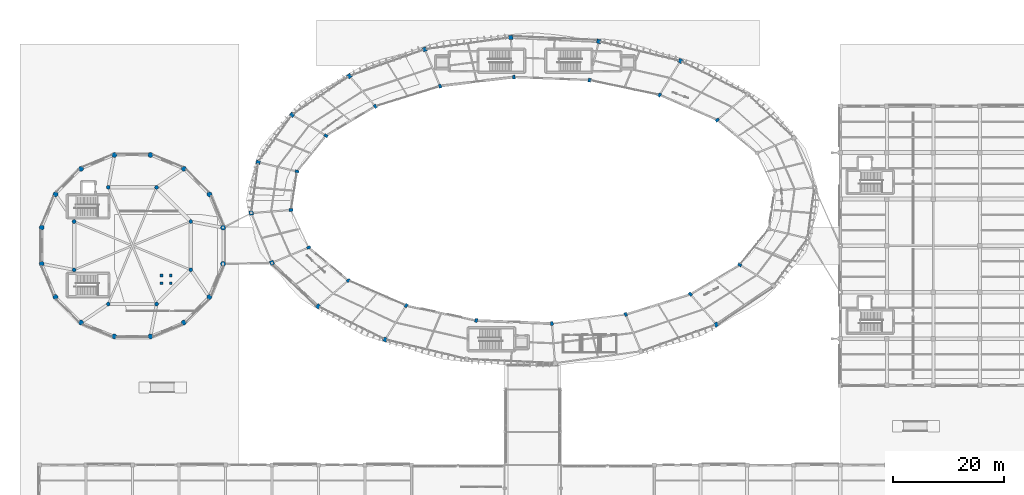
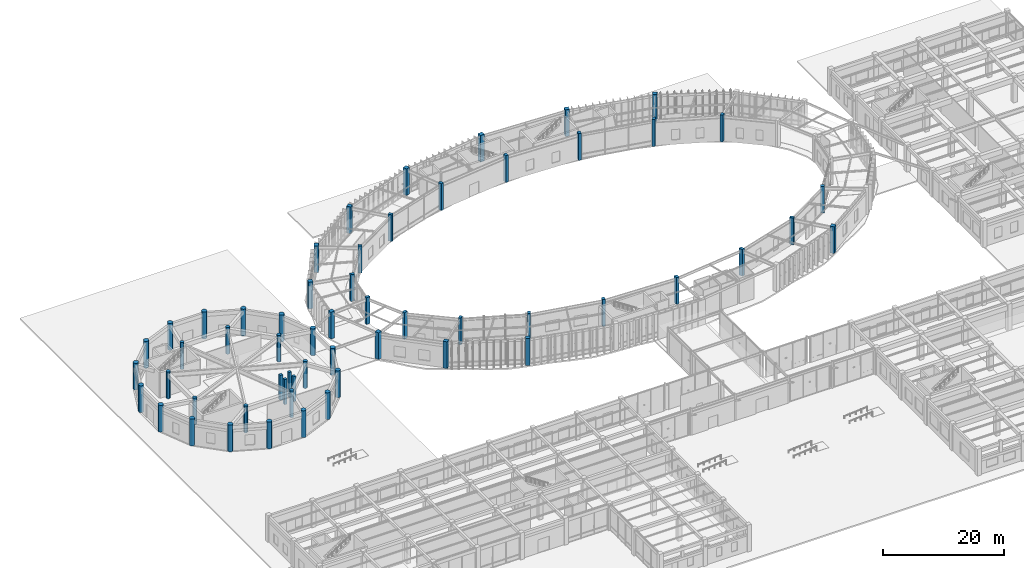
# One storey, part 5 of 157: 57 columns.
"""IFC4 building model written with IfcOpenShell, lengths in metres."""

from ifc_helpers import new_model, si_unit, direction, frame, origin, origin_2d, place, context, subcontext, project, spatial, rectangle, circle, extrude, material, material_profile, profile_set, type_object, element, save


model = new_model("IFC4")

# Units and contexts
model_context = context("Model", 3, precision=1e-05, world=origin(), true_north=direction((0.0, 1.0)))
body_context = subcontext(model_context, "Body", "Model", "MODEL_VIEW")
ifc_project = project(units=[si_unit("LENGTHUNIT", "METRE"), si_unit("AREAUNIT", "SQUARE_METRE"), si_unit("VOLUMEUNIT", "CUBIC_METRE"), si_unit("PLANEANGLEUNIT", "RADIAN"), si_unit("MASSUNIT", "GRAM", prefix="KILO"), si_unit("THERMODYNAMICTEMPERATUREUNIT", "KELVIN"), si_unit("POWERUNIT", "WATT")], contexts=[model_context])

# Site, building, storey
site_placement = place(None, origin())
site = spatial("IfcSite", under=ifc_project, at=site_placement, CompositionType="ELEMENT")
building_placement = place(site_placement, origin())
building = spatial("IfcBuilding", under=site, at=building_placement, Name="Darbajah Civic Hall", CompositionType="ELEMENT")
storey_placement = place(building_placement, origin())
storey = spatial("IfcBuildingStorey", under=building, at=storey_placement, Name="L00", CompositionType="ELEMENT", Elevation=0.0)

# Columns
ifc_material_1 = material(Name="Concrete C45/55", Category="concrete")
ifc_material_profile_1 = material_profile(ifc_material_1, rectangle(XDim=0.5, YDim=0.5, at=origin_2d()), Name="RC COL 500x500")
ifc_profile_set_1 = profile_set([ifc_material_profile_1], Name="Concrete C45/55")
column_type_1 = type_object("IfcColumnType", Name="RC COL 500x500", PredefinedType="COLUMN", material=ifc_profile_set_1)
for number, where, z_axis, x_axis, name in (
    (1, (22.070068359375, 74.800048828125, 0.0), (0.0, 0.0, 1.0), (1.0, 0.0, 0.0), "L00 dais TOP pier 1"),
    (2, (23.719970703125, 74.800048828125, 0.0), (0.0, 0.0, 1.0), (1.0, 0.0, 0.0), "L00 dais TOP pier 2"),
    (3, (22.070068359375, 76.199951171875, 0.0), (0.0, 0.0, 1.0), (1.0, 0.0, 0.0), "L00 dais TOP pier 3"),
    (4, (23.719970703125, 76.199951171875, 0.0), (0.0, 0.0, 1.0), (1.0, 0.0, 0.0), "L00 dais TOP pier 4"),
):
    element("IfcColumn", number, at=place(storey_placement, frame(where, z_axis=z_axis, x_axis=x_axis)), inside=storey, type_object=column_type_1, Name=name, PredefinedType="COLUMN", context=body_context, shape_type="SweptSolid", body=[
        extrude(rectangle(XDim=0.5, YDim=0.5, at=origin_2d()), origin(), (0.0, 0.0, 1.0), 5.080078125),
    ])
ifc_material_profile_2 = material_profile(ifc_material_1, rectangle(XDim=0.699951171875, YDim=0.5, at=origin_2d()), Name="RC COL 700x500")
ifc_profile_set_2 = profile_set([ifc_material_profile_2], Name="Concrete C45/55")
column_type_2 = type_object("IfcColumnType", Name="RC COL 700x500", PredefinedType="COLUMN", material=ifc_profile_set_2)
for number, where, z_axis, x_axis, name in (
    (5, (122.40576171875, 104.28271484375, 0.0), (0.0, 0.0, 1.0), (0.7604059656, 0.64944804833, 0.0), "L00 column C-RC705"),
    (6, (111.9853515625, 108.81396484375, 0.0), (0.0, 0.0, 1.0), (0.522498564716, 0.852640164354, 0.0), "L00 column C-RC705"),
    (7, (99.324951171875, 111.48388671875, 0.0), (0.0, 0.0, 1.0), (0.233445363856, 0.972369920398, 0.0), "L00 column C-RC705"),
    (8, (85.66357421875, 112.03125, 0.0), (0.0, 0.0, 1.0), (-0.078459095728, 0.996917333733, 0.0), "L00 column C-RC705"),
    (9, (72.33837890625, 110.402587890625, 0.0), (0.0, 0.0, 1.0), (-0.382683432365, 0.923879532511, 0.0), "L00 column C-RC705"),
    (10, (60.654296875, 106.757080078125, 0.0), (0.0, 0.0, 1.0), (-0.64944804833, 0.7604059656, 0.0), "L00 column C-RC705"),
    (11, (51.75439453125, 101.45166015625, 0.0), (0.0, 0.0, 1.0), (-0.852640164354, 0.522498564716, 0.0), "L00 column C-RC705"),
    (12, (46.51025390625, 95.005859375, 0.0), (0.0, 0.0, 1.0), (-0.972369920398, 0.233445363856, 0.0), "L00 column C-RC705"),
    (13, (45.43505859375, 88.05029296875, 0.0), (0.0, 0.0, 1.0), (-0.996917333733, -0.078459095728, 0.0), "L00 column C-RC705"),
    (14, (48.634033203125, 81.26611328125, 0.0), (0.0, 0.0, 1.0), (-0.923879532511, -0.382683432365, 0.0), "L00 column C-RC705"),
    (15, (55.794189453125, 75.3173828125, 0.0), (0.0, 0.0, 1.0), (-0.7604059656, -0.64944804833, 0.0), "L00 column C-RC705"),
    (16, (66.214599609375, 70.7861328125, 0.0), (0.0, 0.0, 1.0), (-0.522498564716, -0.852640164354, 0.0), "L00 column C-RC705"),
    (17, (78.875, 68.1162109375, 0.0), (0.0, 0.0, 1.0), (-0.233445363856, -0.972369920398, 0.0), "L00 column C-RC705"),
    (18, (92.53662109375, 67.568603515625, 0.0), (0.0, 0.0, 1.0), (0.078459095728, -0.996917333733, 0.0), "L00 column C-RC705"),
    (19, (105.861572265625, 69.197509765625, 0.0), (0.0, 0.0, 1.0), (0.382683432365, -0.923879532511, 0.0), "L00 column C-RC705"),
    (20, (117.5458984375, 72.843017578125, 0.0), (0.0, 0.0, 1.0), (0.64944804833, -0.7604059656, 0.0), "L00 column C-RC705"),
    (21, (126.445556640625, 78.148193359375, 0.0), (0.0, 0.0, 1.0), (0.852640164354, -0.522498564716, 0.0), "L00 column C-RC705"),
):
    element("IfcColumn", number, at=place(storey_placement, frame(where, z_axis=z_axis, x_axis=x_axis)), inside=storey, type_object=column_type_2, Name=name, PredefinedType="COLUMN", context=body_context, shape_type="SweptSolid", body=[
        extrude(rectangle(XDim=0.699951171875, YDim=0.5, at=origin_2d()), origin(), (0.0, 0.0, 1.0), 5.39990234375),
    ])
ifc_material_2 = material(Name="Concrete C50/60", Category="concrete")
ifc_material_profile_3 = material_profile(ifc_material_2, rectangle(XDim=0.75, YDim=0.75, at=origin_2d()), Name="RC COL 750x750")
ifc_profile_set_3 = profile_set([ifc_material_profile_3], Name="Concrete C50/60")
column_type_3 = type_object("IfcColumnType", Name="RC COL 750x750", PredefinedType="COLUMN", material=ifc_profile_set_3)
for number, where, z_axis, x_axis, name in (
    (22, (115.747314453125, 114.952880859375, 0.0), (0.0, 0.0, 1.0), (0.522498564716, 0.852640164354, 0.0), "L00 column C-RC750"),
    (23, (101.005615234375, 118.48486328125, 0.0), (0.0, 0.0, 1.0), (0.233445363856, 0.972369920398, 0.0), "L00 column C-RC750"),
    (24, (85.0986328125, 119.208984375, 0.0), (0.0, 0.0, 1.0), (-0.078459095728, 0.996917333733, 0.0), "L00 column C-RC750"),
    (25, (69.5830078125, 117.054443359375, 0.0), (0.0, 0.0, 1.0), (-0.382683432365, 0.923879532511, 0.0), "L00 column C-RC750"),
    (26, (55.97802734375, 112.23193359375, 0.0), (0.0, 0.0, 1.0), (-0.64944804833, 0.7604059656, 0.0), "L00 column C-RC750"),
    (27, (45.615478515625, 105.213623046875, 0.0), (0.0, 0.0, 1.0), (-0.852640164354, 0.522498564716, 0.0), "L00 column C-RC750"),
    (28, (39.509033203125, 96.6865234375, 0.0), (0.0, 0.0, 1.0), (-0.972369920398, 0.233445363856, 0.0), "L00 column C-RC750"),
    (29, (38.257080078125, 87.485595703125, 0.0), (0.0, 0.0, 1.0), (-0.996917333733, -0.078459095728, 0.0), "L00 column C-RC750"),
    (30, (41.982177734375, 78.5107421875, 0.0), (0.0, 0.0, 1.0), (-0.923879532511, -0.382683432365, 0.0), "L00 column C-RC750"),
    (31, (50.3193359375, 70.641357421875, 0.0), (0.0, 0.0, 1.0), (-0.7604059656, -0.64944804833, 0.0), "L00 column C-RC750"),
    (32, (62.45263671875, 64.647216796875, 0.0), (0.0, 0.0, 1.0), (-0.522498564716, -0.852640164354, 0.0), "L00 column C-RC750"),
    (33, (122.221923828125, 67.367919921875, 0.0), (0.0, 0.0, 1.0), (0.64944804833, -0.7604059656, 0.0), "L00 column C-RC750"),
):
    element("IfcColumn", number, at=place(storey_placement, frame(where, z_axis=z_axis, x_axis=x_axis)), inside=storey, type_object=column_type_3, Name=name, PredefinedType="COLUMN", context=body_context, shape_type="SweptSolid", body=[
        extrude(rectangle(XDim=0.75, YDim=0.75, at=origin_2d()), origin(), (0.0, 0.0, 1.0), 5.39990234375),
    ])
ifc_material_profile_4 = material_profile(ifc_material_1, circle(Radius=0.35009765625, at=origin_2d()), Name="RC COL D700")
ifc_profile_set_4 = profile_set([ifc_material_profile_4], Name="Concrete C45/55")
column_type_4 = type_object("IfcColumnType", Name="RC COL D700", PredefinedType="COLUMN", material=ifc_profile_set_4)
for number, where, z_axis, x_axis, name in (
    (34, (27.332275390625, 85.962646484375, 0.0), (0.0, 0.0, 1.0), (1.0, 0.0, 0.0), "L00 column C-RCD700"),
    (35, (21.16259765625, 92.132080078125, 0.0), (0.0, 0.0, 1.0), (1.0, 0.0, 0.0), "L00 column C-RCD700"),
    (36, (12.4375, 92.132080078125, 0.0), (0.0, 0.0, 1.0), (1.0, 0.0, 0.0), "L00 column C-RCD700"),
    (37, (6.267822265625, 85.962646484375, 0.0), (0.0, 0.0, 1.0), (1.0, 0.0, 0.0), "L00 column C-RCD700"),
    (38, (6.267822265625, 77.2373046875, 0.0), (0.0, 0.0, 1.0), (1.0, 0.0, 0.0), "L00 column C-RCD700"),
    (39, (12.4375, 71.06787109375, 0.0), (0.0, 0.0, 1.0), (1.0, 0.0, 0.0), "L00 column C-RCD700"),
    (40, (21.16259765625, 71.06787109375, 0.0), (0.0, 0.0, 1.0), (1.0, 0.0, 0.0), "L00 column C-RCD700"),
    (41, (27.332275390625, 77.2373046875, 0.0), (0.0, 0.0, 1.0), (1.0, 0.0, 0.0), "L00 column C-RCD700"),
):
    element("IfcColumn", number, at=place(storey_placement, frame(where, z_axis=z_axis, x_axis=x_axis)), inside=storey, type_object=column_type_4, Name=name, PredefinedType="COLUMN", context=body_context, shape_type="SweptSolid", body=[
        extrude(circle(Radius=0.35009765625, at=origin_2d()), origin(), (0.0, 0.0, 1.0), 5.39990234375),
    ])
ifc_material_profile_5 = material_profile(ifc_material_2, circle(Radius=0.449951171875, at=origin_2d()), Name="RC COL D900")
ifc_profile_set_5 = profile_set([ifc_material_profile_5], Name="Concrete C50/60")
column_type_5 = type_object("IfcColumnType", Name="RC COL D900", PredefinedType="COLUMN", material=ifc_profile_set_5)
for number, where, z_axis, x_axis, name in (
    (42, (33.179931640625, 84.858154296875, 0.0), (0.0, 0.0, 1.0), (1.0, 0.0, 0.0), "L00 column C-RCD900"),
    (43, (30.686279296875, 90.87841796875, 0.0), (0.0, 0.0, 1.0), (1.0, 0.0, 0.0), "L00 column C-RCD900"),
    (44, (26.07861328125, 95.486328125, 0.0), (0.0, 0.0, 1.0), (1.0, 0.0, 0.0), "L00 column C-RCD900"),
    (45, (20.05810546875, 97.97998046875, 0.0), (0.0, 0.0, 1.0), (1.0, 0.0, 0.0), "L00 column C-RCD900"),
    (46, (13.541748046875, 97.97998046875, 0.0), (0.0, 0.0, 1.0), (1.0, 0.0, 0.0), "L00 column C-RCD900"),
    (47, (7.521484375, 95.486328125, 0.0), (0.0, 0.0, 1.0), (1.0, 0.0, 0.0), "L00 column C-RCD900"),
    (48, (2.913818359375, 90.87841796875, 0.0), (0.0, 0.0, 1.0), (1.0, 0.0, 0.0), "L00 column C-RCD900"),
    (49, (0.419921875, 84.858154296875, 0.0), (0.0, 0.0, 1.0), (1.0, 0.0, 0.0), "L00 column C-RCD900"),
    (50, (0.419921875, 78.341796875, 0.0), (0.0, 0.0, 1.0), (1.0, 0.0, 0.0), "L00 column C-RCD900"),
    (51, (2.913818359375, 72.321533203125, 0.0), (0.0, 0.0, 1.0), (1.0, 0.0, 0.0), "L00 column C-RCD900"),
    (52, (7.521484375, 67.713623046875, 0.0), (0.0, 0.0, 1.0), (1.0, 0.0, 0.0), "L00 column C-RCD900"),
    (53, (13.541748046875, 65.219970703125, 0.0), (0.0, 0.0, 1.0), (1.0, 0.0, 0.0), "L00 column C-RCD900"),
    (54, (20.05810546875, 65.219970703125, 0.0), (0.0, 0.0, 1.0), (1.0, 0.0, 0.0), "L00 column C-RCD900"),
    (55, (26.07861328125, 67.713623046875, 0.0), (0.0, 0.0, 1.0), (1.0, 0.0, 0.0), "L00 column C-RCD900"),
    (56, (30.686279296875, 72.321533203125, 0.0), (0.0, 0.0, 1.0), (1.0, 0.0, 0.0), "L00 column C-RCD900"),
    (57, (33.179931640625, 78.341796875, 0.0), (0.0, 0.0, 1.0), (1.0, 0.0, 0.0), "L00 column C-RCD900"),
):
    element("IfcColumn", number, at=place(storey_placement, frame(where, z_axis=z_axis, x_axis=x_axis)), inside=storey, type_object=column_type_5, Name=name, PredefinedType="COLUMN", context=body_context, shape_type="SweptSolid", body=[
        extrude(circle(Radius=0.449951171875, at=origin_2d()), origin(), (0.0, 0.0, 1.0), 5.39990234375),
    ])

save(model, "model.ifc")
